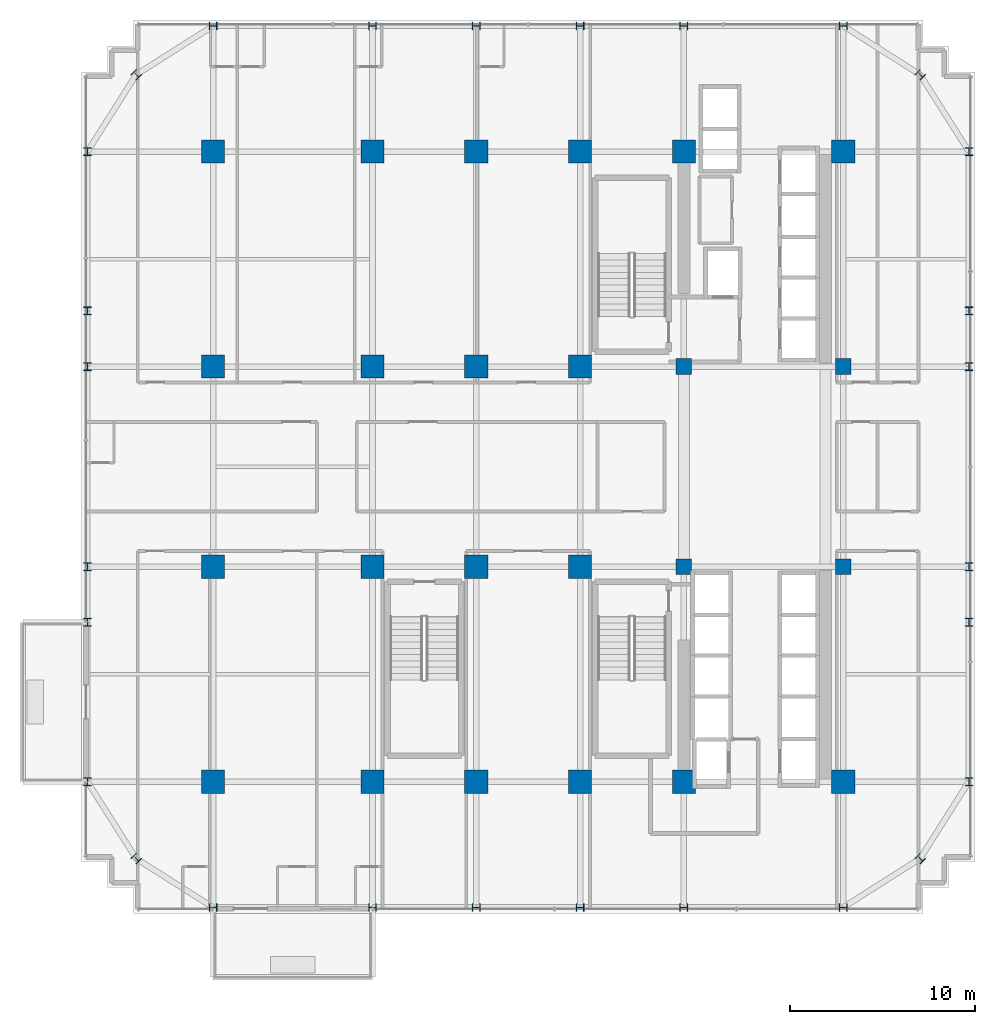
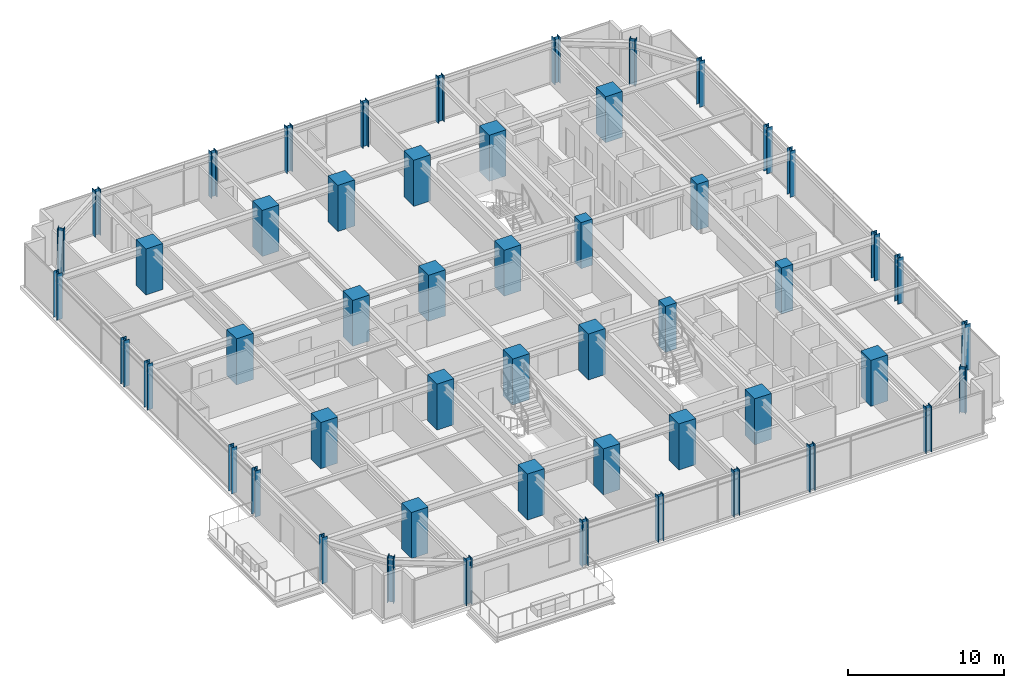
# One storey, part 1 of 32: 52 columns.
"""IFC4 building model written with IfcOpenShell, lengths in metres."""

import ifcopenshell
import ifcopenshell.guid

model = None  # the IFC model being written
_history = None  # IfcOwnerHistory: only IFC2X3 demands one
_inside = {}  # id of a spatial element -> (the spatial element, [elements in it])
_under = {}  # id of a project, library or spatial element -> (it, [spatial elements below it])
_declared = {}  # id of a project -> (the project, [libraries it declares])
_typed = {}  # id of a type object -> (the type object, [elements of that type])
_made_of = {}  # id of a material, layer set ... -> (it, [elements and type objects made of it])


def new_model(schema):
    """Start an empty IFC model of exactly this schema.

    Asked for "IFC4X3", IfcOpenShell would pick the latest addendum, in which some entities
    have other attributes; the version numbers below select the first issue.
    IFC2X3 requires an IfcOwnerHistory on every rooted entity: one is made here for all.
    """
    global model, _history
    if schema == "IFC4X3":
        model = ifcopenshell.file(schema_version=(4, 3, 0, 0))
    else:
        model = ifcopenshell.file(schema=schema)
    _inside.clear()
    _under.clear()
    _declared.clear()
    _typed.clear()
    _made_of.clear()
    _history = None
    if model.schema == "IFC2X3":
        org = make("IfcOrganization", Name="unknown")
        user = make(
            "IfcPersonAndOrganization",
            ThePerson=make("IfcPerson", FamilyName="unknown"),
            TheOrganization=org,
        )
        app = make(
            "IfcApplication",
            ApplicationDeveloper=org,
            Version="unknown",
            ApplicationFullName="unknown",
            ApplicationIdentifier="unknown",
        )
        _history = make(
            "IfcOwnerHistory",
            OwningUser=user,
            OwningApplication=app,
            ChangeAction="ADDED",
            CreationDate=0,
        )
    return model


def make(cls, **values):
    """One entity of the class cls with the attributes given. An attribute that is None is left unset."""
    return model.create_entity(
        cls, **{name: value for name, value in values.items() if value is not None}
    )


def rooted(cls, **values):
    """An entity with a GlobalId (a new one), such as an element, a storey or a relation."""
    return make(cls, GlobalId=ifcopenshell.guid.new(), OwnerHistory=_history, **values)


def si_unit(unit_type, name, prefix=None):
    """IfcSIUnit, for example si_unit("LENGTHUNIT", "METRE", prefix="MILLI")."""
    return make("IfcSIUnit", UnitType=unit_type, Prefix=prefix, Name=name)


def assignment(units):
    """IfcUnitAssignment: the units of a project."""
    return None if units is None else make("IfcUnitAssignment", Units=units)


def point(xyz):
    """IfcCartesianPoint."""
    return None if xyz is None else make("IfcCartesianPoint", Coordinates=xyz)


def direction(xyz):
    """IfcDirection."""
    return None if xyz is None else make("IfcDirection", DirectionRatios=xyz)


def frame(location, z_axis=None, x_axis=None):
    """IfcAxis2Placement3D, a coordinate frame: its origin and axes. An axis left out is left unset."""
    return make(
        "IfcAxis2Placement3D",
        Location=point(location),
        Axis=direction(z_axis),
        RefDirection=direction(x_axis),
    )


def frame_2d(location, x_axis=None):
    """IfcAxis2Placement2D, a coordinate frame in the plane: its origin and x axis."""
    return make(
        "IfcAxis2Placement2D", Location=point(location), RefDirection=direction(x_axis)
    )


def origin():
    """The frame at (0, 0, 0) with its axes left unset."""
    return frame((0.0, 0.0, 0.0))


def origin_2d():
    """The frame at (0, 0) in the plane with its x axis left unset."""
    return frame_2d((0.0, 0.0))


def place(relative_to, where):
    """IfcLocalPlacement: puts the frame where relative to a parent placement (None: the world)."""
    return make(
        "IfcLocalPlacement", PlacementRelTo=relative_to, RelativePlacement=where
    )


def context(
    kind, dimensions, precision=None, world=None, true_north=None, identifier=None
):
    """IfcGeometricRepresentationContext, for example the 3D "Model" context."""
    return make(
        "IfcGeometricRepresentationContext",
        ContextIdentifier=identifier,
        ContextType=kind,
        CoordinateSpaceDimension=dimensions,
        Precision=precision,
        WorldCoordinateSystem=world,
        TrueNorth=true_north,
    )


def subcontext(parent, identifier, kind, view, scale=None):
    """IfcGeometricRepresentationSubContext, for example "Body" below "Model"."""
    return make(
        "IfcGeometricRepresentationSubContext",
        ContextIdentifier=identifier,
        ContextType=kind,
        ParentContext=parent,
        TargetScale=scale,
        TargetView=view,
    )


def project(units=None, contexts=None):
    """IfcProject with its units and contexts."""
    return rooted(
        "IfcProject",
        Name="project",
        RepresentationContexts=contexts,
        UnitsInContext=assignment(units),
    )


def spatial(cls, under=None, at=None, **own):
    """A site, building, storey or space (cls), placed at a placement, below another one or the project."""
    s = rooted(cls, ObjectPlacement=at, **own)
    if under is not None:
        _under.setdefault(under.id(), (under, []))[1].append(s)
    return s


def profile(cls, at=None, kind="AREA", **sizes):
    """A parametric profile (cls). Its sizes go by their IFC names, for example OverallWidth=200.0."""
    return make(cls, ProfileType=kind, Position=at, **sizes)


def rectangle(**sizes):
    """IfcRectangleProfileDef."""
    return profile("IfcRectangleProfileDef", **sizes)


def i_section(**sizes):
    """IfcIShapeProfileDef."""
    return profile("IfcIShapeProfileDef", **sizes)


def extrude(swept, where, along, depth):
    """IfcExtrudedAreaSolid: the profile swept, set in the frame where, extruded along a direction by depth."""
    return make(
        "IfcExtrudedAreaSolid",
        SweptArea=swept,
        Position=where,
        ExtrudedDirection=direction(along),
        Depth=depth,
    )


def shape(context_of_items, identifier, shape_type, items):
    """IfcShapeRepresentation: the items that make up one representation, for example the "Body"."""
    return make(
        "IfcShapeRepresentation",
        ContextOfItems=context_of_items,
        RepresentationIdentifier=identifier,
        RepresentationType=shape_type,
        Items=items,
    )


def source(mapping_origin, context_of_items, identifier, shape_type, items):
    """IfcRepresentationMap: a shape defined once, which mapped items show again and again."""
    return make(
        "IfcRepresentationMap",
        MappingOrigin=mapping_origin,
        MappedRepresentation=shape(context_of_items, identifier, shape_type, items),
    )


def transform(
    local_origin,
    x_axis=None,
    y_axis=None,
    z_axis=None,
    scale=None,
    scale2=None,
    scale3=None,
    uniform=True,
):
    """IfcCartesianTransformationOperator3D, or its non-uniform kind. x_axis, y_axis, z_axis: its Axis1, 2, 3."""
    if uniform:
        return make(
            "IfcCartesianTransformationOperator3D",
            Axis1=direction(x_axis),
            Axis2=direction(y_axis),
            LocalOrigin=point(local_origin),
            Scale=scale,
            Axis3=direction(z_axis),
        )
    return make(
        "IfcCartesianTransformationOperator3DnonUniform",
        Axis1=direction(x_axis),
        Axis2=direction(y_axis),
        LocalOrigin=point(local_origin),
        Scale=scale,
        Axis3=direction(z_axis),
        Scale2=scale2,
        Scale3=scale3,
    )


def mapped(mapping_source, mapping_target):
    """IfcMappedItem: shows the shape of a source again, moved by a transform."""
    return make(
        "IfcMappedItem", MappingSource=mapping_source, MappingTarget=mapping_target
    )


def material(Name=None, Category=None):
    """IfcMaterial."""
    return make("IfcMaterial", Name=Name, Category=Category)


def material_profile(
    of_material, cross_section, Name=None, Category=None, Priority=None
):
    """IfcMaterialProfile: a cross section and its material."""
    return make(
        "IfcMaterialProfile",
        Name=Name,
        Material=of_material,
        Profile=cross_section,
        Priority=Priority,
        Category=Category,
    )


def profile_set(profiles, Name=None, composite=None):
    """IfcMaterialProfileSet."""
    return make(
        "IfcMaterialProfileSet",
        Name=Name,
        MaterialProfiles=profiles,
        CompositeProfile=composite,
    )


def made_of(thing, what):
    """Note that an element or type object is made of a material, layer set ...; save() writes the relation."""
    if what is not None:
        _made_of.setdefault(what.id(), (what, []))[1].append(thing)
    return thing


def type_object(cls, material=None, **own):
    """A type object (cls), such as IfcWallType, which elements share."""
    return made_of(rooted(cls, **own), material)


def element(
    cls,
    number,
    at=None,
    inside=None,
    cuts=None,
    type_object=None,
    material=None,
    context=None,
    identifier="Body",
    shape_type=None,
    held_by="IfcProductDefinitionShape",
    body=None,
    shapes=None,
    **own,
):
    """One element of the class cls, such as IfcWall. Its Tag is "e" and its number.

    at: its placement. inside: the storey or other place that contains it. cuts: it is an
    opening in that element (IfcRelVoidsElement). A single representation is given by context,
    identifier, shape_type and body (its items); several are given by shapes. held_by: the class
    of the entity that holds the representations. save() writes the other relations.
    """
    e = rooted(cls, Tag="e%d" % number, ObjectPlacement=at, **own)
    if body is not None:
        shapes = [shape(context, identifier, shape_type, body)]
    if shapes is not None:
        e.Representation = make(held_by, Representations=shapes)
    if inside is not None:
        _inside.setdefault(inside.id(), (inside, []))[1].append(e)
    if cuts is not None:
        rooted(
            "IfcRelVoidsElement", RelatingBuildingElement=cuts, RelatedOpeningElement=e
        )
    if type_object is not None:
        _typed.setdefault(type_object.id(), (type_object, []))[1].append(e)
    return made_of(e, material)


def aggregate(whole, parts):
    """IfcRelAggregates: a whole, such as a stair, and the parts it consists of."""
    return rooted("IfcRelAggregates", RelatingObject=whole, RelatedObjects=parts)


def save(model, path):
    """Write the relations noted so far, then the file.

    IfcRelAggregates (storeys below a building ...), IfcRelContainedInSpatialStructure (elements
    in a storey), IfcRelDefinesByType, IfcRelAssociatesMaterial and IfcRelDeclares: one each for
    every whole, place, type object, material and project.
    """
    for whole, parts in _under.values():
        aggregate(whole, parts)
    for where, things in _inside.values():
        rooted(
            "IfcRelContainedInSpatialStructure",
            RelatedElements=things,
            RelatingStructure=where,
        )
    for kind, things in _typed.values():
        rooted("IfcRelDefinesByType", RelatedObjects=things, RelatingType=kind)
    for what, things in _made_of.values():
        rooted("IfcRelAssociatesMaterial", RelatedObjects=things, RelatingMaterial=what)
    for by, libraries in _declared.values():
        rooted("IfcRelDeclares", RelatingContext=by, RelatedDefinitions=libraries)
    model.write(path)


model = new_model("IFC4")

# Units and contexts
model_context = context("Model", 3, precision=1e-05, world=origin(), true_north=direction((0.0, 1.0)))
body_context = subcontext(model_context, "Body", "Model", "MODEL_VIEW")
ifc_project = project(units=[si_unit("LENGTHUNIT", "METRE"), si_unit("AREAUNIT", "SQUARE_METRE"), si_unit("VOLUMEUNIT", "CUBIC_METRE"), si_unit("PLANEANGLEUNIT", "RADIAN"), si_unit("MASSUNIT", "GRAM", prefix="KILO")], contexts=[model_context])

# Site, building, storey
site_placement = place(None, origin())
site = spatial("IfcSite", under=ifc_project, at=site_placement, CompositionType="ELEMENT")
building_placement = place(site_placement, origin())
building = spatial("IfcBuilding", under=site, at=building_placement, Name="Nahalor Promenade Grand Hotel", CompositionType="ELEMENT")
storey_placement = place(building_placement, frame((0.0, 0.0, 124.800048828125)))
storey = spatial("IfcBuildingStorey", under=building, at=storey_placement, Name="L31", CompositionType="ELEMENT", Elevation=124.800048828125)

# Columns
ifc_material_1 = material(Name="Concrete B-70 (C60/75)", Category="concrete")
ifc_material_profile_1 = material_profile(ifc_material_1, rectangle(XDim=0.85, YDim=0.85, at=origin_2d()), Name="RC 850x850")
ifc_profile_set_1 = profile_set([ifc_material_profile_1], Name="Concrete B-70 (C60/75)")
column_type_1 = type_object("IfcColumnType", Name="Col-Pilaster-850", PredefinedType="PILASTER", material=ifc_profile_set_1)
shared_shape_1 = source(origin(), body_context, "Body", "SweptSolid", [
    extrude(rectangle(XDim=0.85, YDim=0.85, at=origin_2d()), origin(), (0.0, 0.0, 1.0), 3.60498046875),
])
for number, where, z_axis, x_axis, name in (
    (1, (8.39990234375, -5.39990234375, 0.0), (0.0, 0.0, 1.0), (1.0, 0.0, 0.0), "COL-L31-I41"),
    (2, (8.39990234375, 5.39990234375, 0.0), (0.0, 0.0, 1.0), (1.0, 0.0, 0.0), "COL-L31-I42"),
    (3, (17.0, -5.39990234375, 0.0), (0.0, 0.0, 1.0), (1.0, 0.0, 0.0), "COL-L31-I51"),
    (4, (17.0, 5.39990234375, 0.0), (0.0, 0.0, 1.0), (1.0, 0.0, 0.0), "COL-L31-I52"),
):
    element("IfcColumn", number, at=place(storey_placement, frame(where, z_axis=z_axis, x_axis=x_axis)), inside=storey, type_object=column_type_1, Name=name, PredefinedType="PILASTER", context=body_context, shape_type="MappedRepresentation", body=[
        mapped(shared_shape_1, transform((0.0, 0.0, 0.0), scale=1.0)),
    ])
ifc_material_2 = material(Name="Concrete B-60 (C50/60)", Category="concrete")
ifc_material_profile_2 = material_profile(ifc_material_2, rectangle(XDim=1.25, YDim=1.25, at=origin_2d()), Name="RC 1250x1250")
ifc_profile_set_2 = profile_set([ifc_material_profile_2], Name="Concrete B-60 (C50/60)")
column_type_2 = type_object("IfcColumnType", Name="Col-RC-1250", PredefinedType="COLUMN", material=ifc_profile_set_2)
shared_shape_2 = source(origin(), body_context, "Body", "SweptSolid", [
    extrude(rectangle(XDim=1.25, YDim=1.25, at=origin_2d()), origin(), (0.0, 0.0, 1.0), 3.60498046875),
])
for number, where, z_axis, x_axis, name in (
    (5, (-17.0, -17.0, 0.0), (0.0, 0.0, 1.0), (1.0, 0.0, 0.0), "COL-L31-I00"),
    (6, (-17.0, -5.39990234375, 0.0), (0.0, 0.0, 1.0), (1.0, 0.0, 0.0), "COL-L31-I01"),
    (7, (-17.0, 5.39990234375, 0.0), (0.0, 0.0, 1.0), (1.0, 0.0, 0.0), "COL-L31-I02"),
    (8, (-17.0, 17.0, 0.0), (0.0, 0.0, 1.0), (1.0, 0.0, 0.0), "COL-L31-I03"),
    (9, (-8.39990234375, -17.0, 0.0), (0.0, 0.0, 1.0), (1.0, 0.0, 0.0), "COL-L31-I10"),
    (10, (-8.39990234375, -5.39990234375, 0.0), (0.0, 0.0, 1.0), (1.0, 0.0, 0.0), "COL-L31-I11"),
    (11, (-8.39990234375, 5.39990234375, 0.0), (0.0, 0.0, 1.0), (1.0, 0.0, 0.0), "COL-L31-I12"),
    (12, (-8.39990234375, 17.0, 0.0), (0.0, 0.0, 1.0), (1.0, 0.0, 0.0), "COL-L31-I13"),
    (13, (-2.800048828125, -17.0, 0.0), (0.0, 0.0, 1.0), (1.0, 0.0, 0.0), "COL-L31-I20"),
    (14, (-2.800048828125, -5.39990234375, 0.0), (0.0, 0.0, 1.0), (1.0, 0.0, 0.0), "COL-L31-I21"),
    (15, (-2.800048828125, 5.39990234375, 0.0), (0.0, 0.0, 1.0), (1.0, 0.0, 0.0), "COL-L31-I22"),
    (16, (-2.800048828125, 17.0, 0.0), (0.0, 0.0, 1.0), (1.0, 0.0, 0.0), "COL-L31-I23"),
    (17, (2.800048828125, -17.0, 0.0), (0.0, 0.0, 1.0), (1.0, 0.0, 0.0), "COL-L31-I30"),
    (18, (2.800048828125, -5.39990234375, 0.0), (0.0, 0.0, 1.0), (1.0, 0.0, 0.0), "COL-L31-I31"),
    (19, (2.800048828125, 5.39990234375, 0.0), (0.0, 0.0, 1.0), (1.0, 0.0, 0.0), "COL-L31-I32"),
    (20, (2.800048828125, 17.0, 0.0), (0.0, 0.0, 1.0), (1.0, 0.0, 0.0), "COL-L31-I33"),
    (21, (8.39990234375, -17.0, 0.0), (0.0, 0.0, 1.0), (1.0, 0.0, 0.0), "COL-L31-I40"),
    (22, (8.39990234375, 17.0, 0.0), (0.0, 0.0, 1.0), (1.0, 0.0, 0.0), "COL-L31-I43"),
    (23, (17.0, -17.0, 0.0), (0.0, 0.0, 1.0), (1.0, 0.0, 0.0), "COL-L31-I50"),
    (24, (17.0, 17.0, 0.0), (0.0, 0.0, 1.0), (1.0, 0.0, 0.0), "COL-L31-I53"),
):
    element("IfcColumn", number, at=place(storey_placement, frame(where, z_axis=z_axis, x_axis=x_axis)), inside=storey, type_object=column_type_2, Name=name, PredefinedType="COLUMN", context=body_context, shape_type="MappedRepresentation", body=[
        mapped(shared_shape_2, transform((0.0, 0.0, 0.0), scale=1.0)),
    ])
ifc_material_3 = material(Name="Steel S355J2", Category="steel")
ifc_material_profile_3 = material_profile(ifc_material_3, i_section(OverallWidth=0.409, OverallDepth=0.43, WebThickness=0.0208, FlangeThickness=0.0335, at=origin_2d()), Name="HD 400x421")
ifc_profile_set_3 = profile_set([ifc_material_profile_3], Name="Steel S355J2")
column_type_3 = type_object("IfcColumnType", Name="Col-Steel-HD421", PredefinedType="COLUMN", material=ifc_profile_set_3)
shared_shape_3 = source(origin(), body_context, "Body", "SweptSolid", [
    extrude(i_section(OverallWidth=0.409, OverallDepth=0.43, WebThickness=0.0208, FlangeThickness=0.0335, at=origin_2d()), origin(), (0.0, 0.0, 1.0), 3.60498046875),
])
for number, where, z_axis, x_axis, name in (
    (25, (-23.780029296875, -17.0, 0.0), (0.0, 0.0, 1.0), (1.0, 0.0, 0.0), "COL-L31-PW-W0"),
    (26, (23.780029296875, -17.0, 0.0), (0.0, 0.0, 1.0), (1.0, 0.0, 0.0), "COL-L31-PW-E0"),
    (27, (-23.780029296875, -8.39990234375, 0.0), (0.0, 0.0, 1.0), (1.0, 0.0, 0.0), "COL-L31-PW-W1"),
    (28, (23.780029296875, -8.39990234375, 0.0), (0.0, 0.0, 1.0), (1.0, 0.0, 0.0), "COL-L31-PW-E1"),
    (29, (-23.780029296875, -5.39990234375, 0.0), (0.0, 0.0, 1.0), (1.0, 0.0, 0.0), "COL-L31-PW-W2"),
    (30, (23.780029296875, -5.39990234375, 0.0), (0.0, 0.0, 1.0), (1.0, 0.0, 0.0), "COL-L31-PW-E2"),
    (31, (-23.780029296875, 5.39990234375, 0.0), (0.0, 0.0, 1.0), (1.0, 0.0, 0.0), "COL-L31-PW-W3"),
    (32, (23.780029296875, 5.39990234375, 0.0), (0.0, 0.0, 1.0), (1.0, 0.0, 0.0), "COL-L31-PW-E3"),
    (33, (-23.780029296875, 8.39990234375, 0.0), (0.0, 0.0, 1.0), (1.0, 0.0, 0.0), "COL-L31-PW-W4"),
    (34, (23.780029296875, 8.39990234375, 0.0), (0.0, 0.0, 1.0), (1.0, 0.0, 0.0), "COL-L31-PW-E4"),
    (35, (-23.780029296875, 17.0, 0.0), (0.0, 0.0, 1.0), (1.0, 0.0, 0.0), "COL-L31-PW-W5"),
    (36, (23.780029296875, 17.0, 0.0), (0.0, 0.0, 1.0), (1.0, 0.0, 0.0), "COL-L31-PW-E5"),
    (37, (-17.0, -23.780029296875, 0.0), (0.0, 0.0, 1.0), (0.0, 1.0, 0.0), "COL-L31-PN-S0"),
    (38, (-17.0, 23.780029296875, 0.0), (0.0, 0.0, 1.0), (0.0, 1.0, 0.0), "COL-L31-PN-N0"),
    (39, (-8.39990234375, -23.780029296875, 0.0), (0.0, 0.0, 1.0), (0.0, 1.0, 0.0), "COL-L31-PN-S1"),
    (40, (-8.39990234375, 23.780029296875, 0.0), (0.0, 0.0, 1.0), (0.0, 1.0, 0.0), "COL-L31-PN-N1"),
    (41, (-2.800048828125, -23.780029296875, 0.0), (0.0, 0.0, 1.0), (0.0, 1.0, 0.0), "COL-L31-PN-S2"),
    (42, (-2.800048828125, 23.780029296875, 0.0), (0.0, 0.0, 1.0), (0.0, 1.0, 0.0), "COL-L31-PN-N2"),
    (43, (2.800048828125, -23.780029296875, 0.0), (0.0, 0.0, 1.0), (0.0, 1.0, 0.0), "COL-L31-PN-S3"),
    (44, (2.800048828125, 23.780029296875, 0.0), (0.0, 0.0, 1.0), (0.0, 1.0, 0.0), "COL-L31-PN-N3"),
    (45, (8.39990234375, -23.780029296875, 0.0), (0.0, 0.0, 1.0), (0.0, 1.0, 0.0), "COL-L31-PN-S4"),
    (46, (8.39990234375, 23.780029296875, 0.0), (0.0, 0.0, 1.0), (0.0, 1.0, 0.0), "COL-L31-PN-N4"),
    (47, (17.0, -23.780029296875, 0.0), (0.0, 0.0, 1.0), (0.0, 1.0, 0.0), "COL-L31-PN-S5"),
    (48, (17.0, 23.780029296875, 0.0), (0.0, 0.0, 1.0), (0.0, 1.0, 0.0), "COL-L31-PN-N5"),
    (49, (-21.14990234375, -21.14990234375, 0.0), (0.0, 0.0, 1.0), (0.707106781187, 0.707106781187, 0.0), "COL-L31-CRN-SW"),
    (50, (-21.14990234375, 21.14990234375, 0.0), (0.0, 0.0, 1.0), (0.707106781187, 0.707106781187, 0.0), "COL-L31-CRN-NW"),
    (51, (21.14990234375, -21.14990234375, 0.0), (0.0, 0.0, 1.0), (0.707106781187, 0.707106781187, 0.0), "COL-L31-CRN-SE"),
    (52, (21.14990234375, 21.14990234375, 0.0), (0.0, 0.0, 1.0), (0.707106781187, 0.707106781187, 0.0), "COL-L31-CRN-NE"),
):
    element("IfcColumn", number, at=place(storey_placement, frame(where, z_axis=z_axis, x_axis=x_axis)), inside=storey, type_object=column_type_3, Name=name, PredefinedType="COLUMN", context=body_context, shape_type="MappedRepresentation", body=[
        mapped(shared_shape_3, transform((0.0, 0.0, 0.0), scale=1.0)),
    ])

save(model, "model.ifc")
